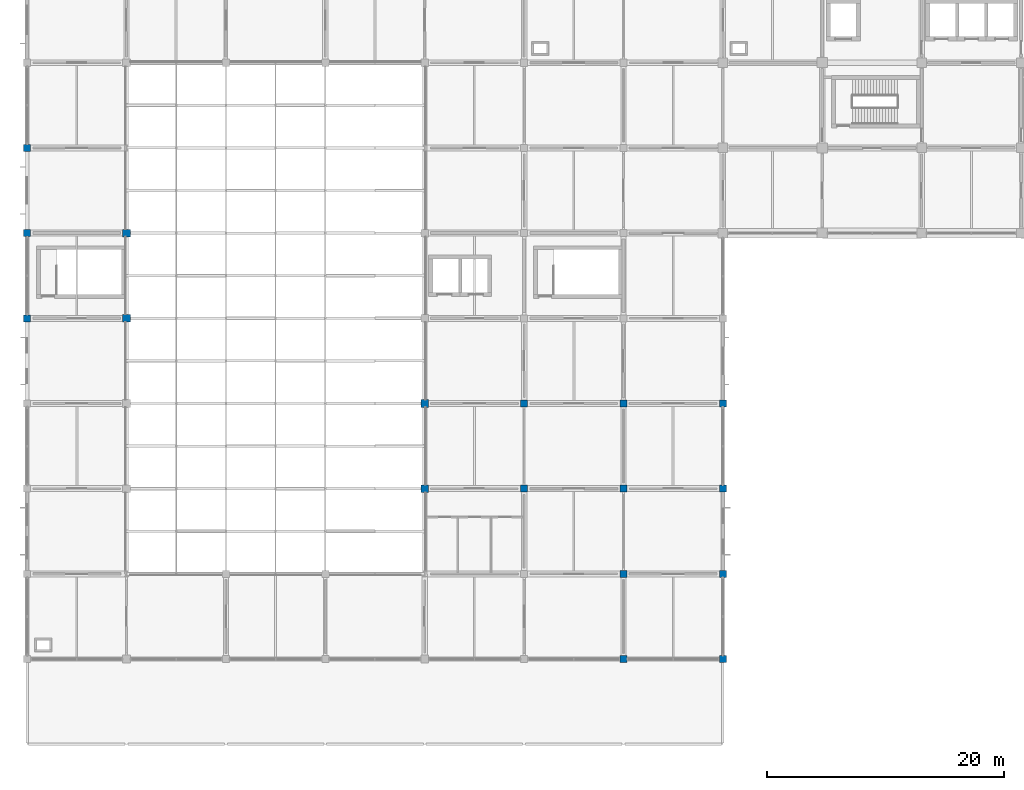
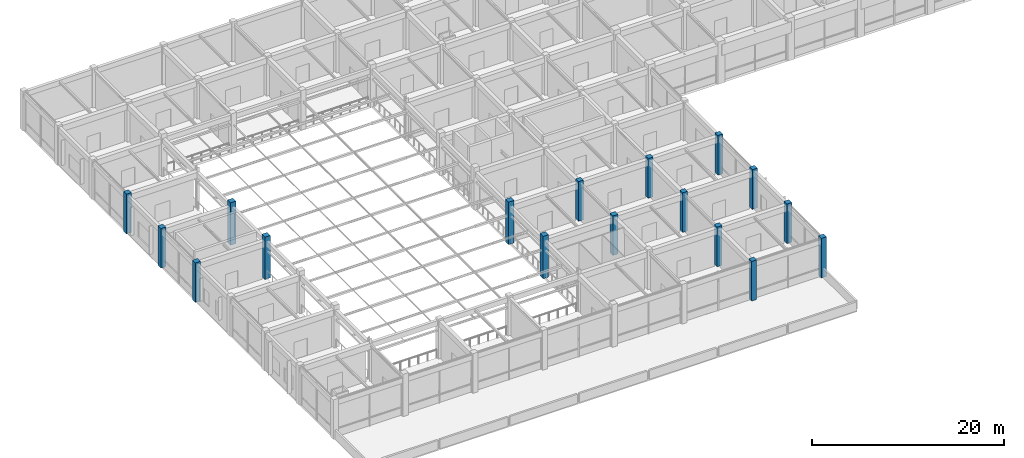
# One storey, part 2 of 38: 17 columns.
"""IFC4 building model written with IfcOpenShell, lengths in metres."""

import ifcopenshell
import ifcopenshell.guid

model = None  # the IFC model being written
_history = None  # IfcOwnerHistory: only IFC2X3 demands one
_inside = {}  # id of a spatial element -> (the spatial element, [elements in it])
_under = {}  # id of a project, library or spatial element -> (it, [spatial elements below it])
_declared = {}  # id of a project -> (the project, [libraries it declares])
_typed = {}  # id of a type object -> (the type object, [elements of that type])
_made_of = {}  # id of a material, layer set ... -> (it, [elements and type objects made of it])


def new_model(schema):
    """Start an empty IFC model of exactly this schema.

    Asked for "IFC4X3", IfcOpenShell would pick the latest addendum, in which some entities
    have other attributes; the version numbers below select the first issue.
    IFC2X3 requires an IfcOwnerHistory on every rooted entity: one is made here for all.
    """
    global model, _history
    if schema == "IFC4X3":
        model = ifcopenshell.file(schema_version=(4, 3, 0, 0))
    else:
        model = ifcopenshell.file(schema=schema)
    _inside.clear()
    _under.clear()
    _declared.clear()
    _typed.clear()
    _made_of.clear()
    _history = None
    if model.schema == "IFC2X3":
        org = make("IfcOrganization", Name="unknown")
        user = make(
            "IfcPersonAndOrganization",
            ThePerson=make("IfcPerson", FamilyName="unknown"),
            TheOrganization=org,
        )
        app = make(
            "IfcApplication",
            ApplicationDeveloper=org,
            Version="unknown",
            ApplicationFullName="unknown",
            ApplicationIdentifier="unknown",
        )
        _history = make(
            "IfcOwnerHistory",
            OwningUser=user,
            OwningApplication=app,
            ChangeAction="ADDED",
            CreationDate=0,
        )
    return model


def make(cls, **values):
    """One entity of the class cls with the attributes given. An attribute that is None is left unset."""
    return model.create_entity(
        cls, **{name: value for name, value in values.items() if value is not None}
    )


def rooted(cls, **values):
    """An entity with a GlobalId (a new one), such as an element, a storey or a relation."""
    return make(cls, GlobalId=ifcopenshell.guid.new(), OwnerHistory=_history, **values)


def si_unit(unit_type, name, prefix=None):
    """IfcSIUnit, for example si_unit("LENGTHUNIT", "METRE", prefix="MILLI")."""
    return make("IfcSIUnit", UnitType=unit_type, Prefix=prefix, Name=name)


def derived_unit(unit_type, elements):
    """IfcDerivedUnit: a product of units, each with its exponent."""
    return make(
        "IfcDerivedUnit",
        Elements=[
            make("IfcDerivedUnitElement", Unit=unit, Exponent=power)
            for unit, power in elements
        ],
        UnitType=unit_type,
    )


def assignment(units):
    """IfcUnitAssignment: the units of a project."""
    return None if units is None else make("IfcUnitAssignment", Units=units)


def point(xyz):
    """IfcCartesianPoint."""
    return None if xyz is None else make("IfcCartesianPoint", Coordinates=xyz)


def direction(xyz):
    """IfcDirection."""
    return None if xyz is None else make("IfcDirection", DirectionRatios=xyz)


def frame(location, z_axis=None, x_axis=None):
    """IfcAxis2Placement3D, a coordinate frame: its origin and axes. An axis left out is left unset."""
    return make(
        "IfcAxis2Placement3D",
        Location=point(location),
        Axis=direction(z_axis),
        RefDirection=direction(x_axis),
    )


def frame_2d(location, x_axis=None):
    """IfcAxis2Placement2D, a coordinate frame in the plane: its origin and x axis."""
    return make(
        "IfcAxis2Placement2D", Location=point(location), RefDirection=direction(x_axis)
    )


def origin():
    """The frame at (0, 0, 0) with its axes left unset."""
    return frame((0.0, 0.0, 0.0))


def origin_2d():
    """The frame at (0, 0) in the plane with its x axis left unset."""
    return frame_2d((0.0, 0.0))


def place(relative_to, where):
    """IfcLocalPlacement: puts the frame where relative to a parent placement (None: the world)."""
    return make(
        "IfcLocalPlacement", PlacementRelTo=relative_to, RelativePlacement=where
    )


def context(
    kind, dimensions, precision=None, world=None, true_north=None, identifier=None
):
    """IfcGeometricRepresentationContext, for example the 3D "Model" context."""
    return make(
        "IfcGeometricRepresentationContext",
        ContextIdentifier=identifier,
        ContextType=kind,
        CoordinateSpaceDimension=dimensions,
        Precision=precision,
        WorldCoordinateSystem=world,
        TrueNorth=true_north,
    )


def subcontext(parent, identifier, kind, view, scale=None):
    """IfcGeometricRepresentationSubContext, for example "Body" below "Model"."""
    return make(
        "IfcGeometricRepresentationSubContext",
        ContextIdentifier=identifier,
        ContextType=kind,
        ParentContext=parent,
        TargetScale=scale,
        TargetView=view,
    )


def project(units=None, contexts=None):
    """IfcProject with its units and contexts."""
    return rooted(
        "IfcProject",
        Name="project",
        RepresentationContexts=contexts,
        UnitsInContext=assignment(units),
    )


def spatial(cls, under=None, at=None, **own):
    """A site, building, storey or space (cls), placed at a placement, below another one or the project."""
    s = rooted(cls, ObjectPlacement=at, **own)
    if under is not None:
        _under.setdefault(under.id(), (under, []))[1].append(s)
    return s


def profile(cls, at=None, kind="AREA", **sizes):
    """A parametric profile (cls). Its sizes go by their IFC names, for example OverallWidth=200.0."""
    return make(cls, ProfileType=kind, Position=at, **sizes)


def rectangle(**sizes):
    """IfcRectangleProfileDef."""
    return profile("IfcRectangleProfileDef", **sizes)


def extrude(swept, where, along, depth):
    """IfcExtrudedAreaSolid: the profile swept, set in the frame where, extruded along a direction by depth."""
    return make(
        "IfcExtrudedAreaSolid",
        SweptArea=swept,
        Position=where,
        ExtrudedDirection=direction(along),
        Depth=depth,
    )


def shape(context_of_items, identifier, shape_type, items):
    """IfcShapeRepresentation: the items that make up one representation, for example the "Body"."""
    return make(
        "IfcShapeRepresentation",
        ContextOfItems=context_of_items,
        RepresentationIdentifier=identifier,
        RepresentationType=shape_type,
        Items=items,
    )


def material(Name=None, Category=None):
    """IfcMaterial."""
    return make("IfcMaterial", Name=Name, Category=Category)


def material_profile(
    of_material, cross_section, Name=None, Category=None, Priority=None
):
    """IfcMaterialProfile: a cross section and its material."""
    return make(
        "IfcMaterialProfile",
        Name=Name,
        Material=of_material,
        Profile=cross_section,
        Priority=Priority,
        Category=Category,
    )


def profile_set(profiles, Name=None, composite=None):
    """IfcMaterialProfileSet."""
    return make(
        "IfcMaterialProfileSet",
        Name=Name,
        MaterialProfiles=profiles,
        CompositeProfile=composite,
    )


def made_of(thing, what):
    """Note that an element or type object is made of a material, layer set ...; save() writes the relation."""
    if what is not None:
        _made_of.setdefault(what.id(), (what, []))[1].append(thing)
    return thing


def type_object(cls, material=None, **own):
    """A type object (cls), such as IfcWallType, which elements share."""
    return made_of(rooted(cls, **own), material)


def element(
    cls,
    number,
    at=None,
    inside=None,
    cuts=None,
    type_object=None,
    material=None,
    context=None,
    identifier="Body",
    shape_type=None,
    held_by="IfcProductDefinitionShape",
    body=None,
    shapes=None,
    **own,
):
    """One element of the class cls, such as IfcWall. Its Tag is "e" and its number.

    at: its placement. inside: the storey or other place that contains it. cuts: it is an
    opening in that element (IfcRelVoidsElement). A single representation is given by context,
    identifier, shape_type and body (its items); several are given by shapes. held_by: the class
    of the entity that holds the representations. save() writes the other relations.
    """
    e = rooted(cls, Tag="e%d" % number, ObjectPlacement=at, **own)
    if body is not None:
        shapes = [shape(context, identifier, shape_type, body)]
    if shapes is not None:
        e.Representation = make(held_by, Representations=shapes)
    if inside is not None:
        _inside.setdefault(inside.id(), (inside, []))[1].append(e)
    if cuts is not None:
        rooted(
            "IfcRelVoidsElement", RelatingBuildingElement=cuts, RelatedOpeningElement=e
        )
    if type_object is not None:
        _typed.setdefault(type_object.id(), (type_object, []))[1].append(e)
    return made_of(e, material)


def aggregate(whole, parts):
    """IfcRelAggregates: a whole, such as a stair, and the parts it consists of."""
    return rooted("IfcRelAggregates", RelatingObject=whole, RelatedObjects=parts)


def save(model, path):
    """Write the relations noted so far, then the file.

    IfcRelAggregates (storeys below a building ...), IfcRelContainedInSpatialStructure (elements
    in a storey), IfcRelDefinesByType, IfcRelAssociatesMaterial and IfcRelDeclares: one each for
    every whole, place, type object, material and project.
    """
    for whole, parts in _under.values():
        aggregate(whole, parts)
    for where, things in _inside.values():
        rooted(
            "IfcRelContainedInSpatialStructure",
            RelatedElements=things,
            RelatingStructure=where,
        )
    for kind, things in _typed.values():
        rooted("IfcRelDefinesByType", RelatedObjects=things, RelatingType=kind)
    for what, things in _made_of.values():
        rooted("IfcRelAssociatesMaterial", RelatedObjects=things, RelatingMaterial=what)
    for by, libraries in _declared.values():
        rooted("IfcRelDeclares", RelatingContext=by, RelatedDefinitions=libraries)
    model.write(path)


model = new_model("IFC4")

# Units and contexts
model_context = context("Model", 3, precision=1e-05, world=origin(), true_north=direction((0.0, 1.0)))
body_context = subcontext(model_context, "Body", "Model", "MODEL_VIEW")
ifc_project = project(units=[si_unit("LENGTHUNIT", "METRE"), si_unit("AREAUNIT", "SQUARE_METRE"), si_unit("VOLUMEUNIT", "CUBIC_METRE"), si_unit("PLANEANGLEUNIT", "RADIAN"), si_unit("MASSUNIT", "GRAM", prefix="KILO"), derived_unit("THERMALTRANSMITTANCEUNIT", [(si_unit("MASSUNIT", "GRAM", prefix="KILO"), 1), (si_unit("TIMEUNIT", "SECOND"), -3), (si_unit("THERMODYNAMICTEMPERATUREUNIT", "KELVIN"), -1)])], contexts=[model_context])

# Site, building, storey
site_placement = place(None, origin())
site = spatial("IfcSite", under=ifc_project, at=site_placement, CompositionType="ELEMENT")
building_placement = place(site_placement, origin())
building = spatial("IfcBuilding", under=site, at=building_placement, Name="Veldstrom Oceanarium and Marine Research Institute", CompositionType="ELEMENT")
storey_placement = place(building_placement, frame((0.0, 0.0, 16.800048828125)))
storey = spatial("IfcBuildingStorey", under=building, at=storey_placement, Name="L03", CompositionType="ELEMENT", Elevation=16.800048828125)

# Columns
ifc_material_1 = material(Name="Concrete C50/60", Category="concrete")
ifc_material_profile_1 = material_profile(ifc_material_1, rectangle(XDim=0.64990234375, YDim=0.64990234375, at=origin_2d()), Name="RC-COL-650x650")
ifc_profile_set_1 = profile_set([ifc_material_profile_1], Name="Concrete C50/60")
column_type_1 = type_object("IfcColumnType", Name="STR-COL-C07", PredefinedType="COLUMN", material=ifc_profile_set_1)
for number, where, z_axis, x_axis, name in (
    (1, (16.800048828125, 36.0, 0.0), (0.0, 0.0, 1.0), (1.0, 0.0, 0.0), "Column C07 3/F L03"),
    (2, (16.800048828125, 43.199951171875, 0.0), (0.0, 0.0, 1.0), (1.0, 0.0, 0.0), "Column C07 3/G L03"),
    (3, (42.0, 21.60009765625, 0.0), (0.0, 0.0, 1.0), (1.0, 0.0, 0.0), "Column C07 6/D L03"),
    (4, (42.0, 28.800048828125, 0.0), (0.0, 0.0, 1.0), (1.0, 0.0, 0.0), "Column C07 6/E L03"),
):
    element("IfcColumn", number, at=place(storey_placement, frame(where, z_axis=z_axis, x_axis=x_axis)), inside=storey, type_object=column_type_1, Name=name, PredefinedType="COLUMN", context=body_context, shape_type="SweptSolid", body=[
        extrude(rectangle(XDim=0.64990234375, YDim=0.64990234375, at=origin_2d()), origin(), (0.0, 0.0, 1.0), 5.39990234375),
    ])
ifc_material_2 = material(Name="Concrete C50/60", Category="concrete")
ifc_material_profile_2 = material_profile(ifc_material_2, rectangle(XDim=0.60009765625, YDim=0.60009765625, at=origin_2d()), Name="RC-COL-600x600")
ifc_profile_set_2 = profile_set([ifc_material_profile_2], Name="Concrete C50/60")
column_type_2 = type_object("IfcColumnType", Name="STR-COL-C08", PredefinedType="COLUMN", material=ifc_profile_set_2)
for number, where, z_axis, x_axis, name in (
    (5, (8.39990234375, 36.0, 0.0), (0.0, 0.0, 1.0), (1.0, 0.0, 0.0), "Column C08 2/F L03"),
    (6, (8.39990234375, 43.199951171875, 0.0), (0.0, 0.0, 1.0), (1.0, 0.0, 0.0), "Column C08 2/G L03"),
    (7, (8.39990234375, 50.39990234375, 0.0), (0.0, 0.0, 1.0), (1.0, 0.0, 0.0), "Column C08 2/H L03"),
    (8, (50.39990234375, 21.60009765625, 0.0), (0.0, 0.0, 1.0), (1.0, 0.0, 0.0), "Column C08 7/D L03"),
    (9, (50.39990234375, 28.800048828125, 0.0), (0.0, 0.0, 1.0), (1.0, 0.0, 0.0), "Column C08 7/E L03"),
    (10, (58.800048828125, 7.199951171875, 0.0), (0.0, 0.0, 1.0), (1.0, 0.0, 0.0), "Column C08 8/B L03"),
    (11, (58.800048828125, 14.39990234375, 0.0), (0.0, 0.0, 1.0), (1.0, 0.0, 0.0), "Column C08 8/C L03"),
    (12, (58.800048828125, 21.60009765625, 0.0), (0.0, 0.0, 1.0), (1.0, 0.0, 0.0), "Column C08 8/D L03"),
    (13, (58.800048828125, 28.800048828125, 0.0), (0.0, 0.0, 1.0), (1.0, 0.0, 0.0), "Column C08 8/E L03"),
    (14, (67.199951171875, 7.199951171875, 0.0), (0.0, 0.0, 1.0), (1.0, 0.0, 0.0), "Column C08 9/B L03"),
    (15, (67.199951171875, 14.39990234375, 0.0), (0.0, 0.0, 1.0), (1.0, 0.0, 0.0), "Column C08 9/C L03"),
    (16, (67.199951171875, 21.60009765625, 0.0), (0.0, 0.0, 1.0), (1.0, 0.0, 0.0), "Column C08 9/D L03"),
    (17, (67.199951171875, 28.800048828125, 0.0), (0.0, 0.0, 1.0), (1.0, 0.0, 0.0), "Column C08 9/E L03"),
):
    element("IfcColumn", number, at=place(storey_placement, frame(where, z_axis=z_axis, x_axis=x_axis)), inside=storey, type_object=column_type_2, Name=name, PredefinedType="COLUMN", context=body_context, shape_type="SweptSolid", body=[
        extrude(rectangle(XDim=0.60009765625, YDim=0.60009765625, at=origin_2d()), origin(), (0.0, 0.0, 1.0), 5.050048828125),
    ])

save(model, "model.ifc")
